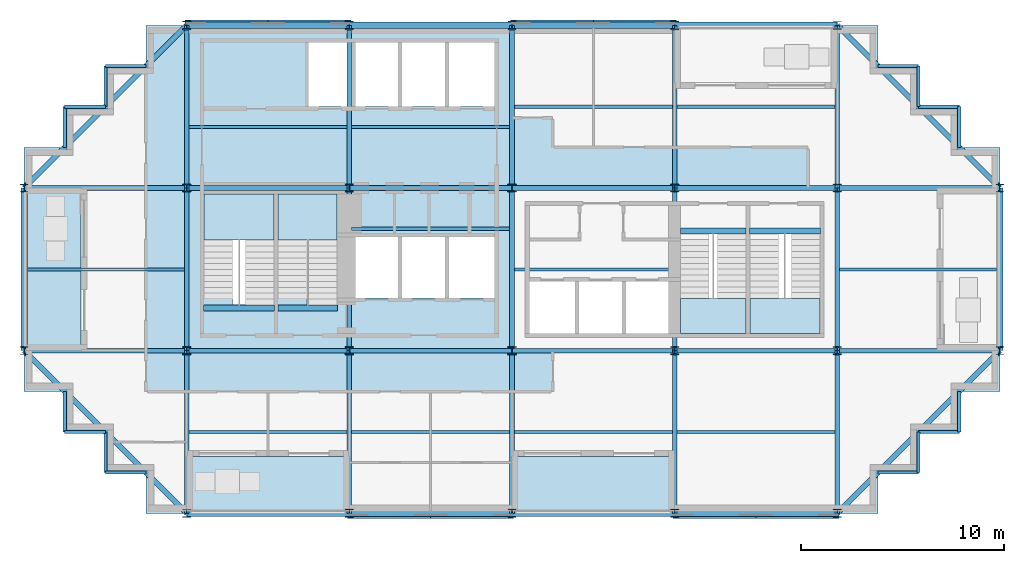
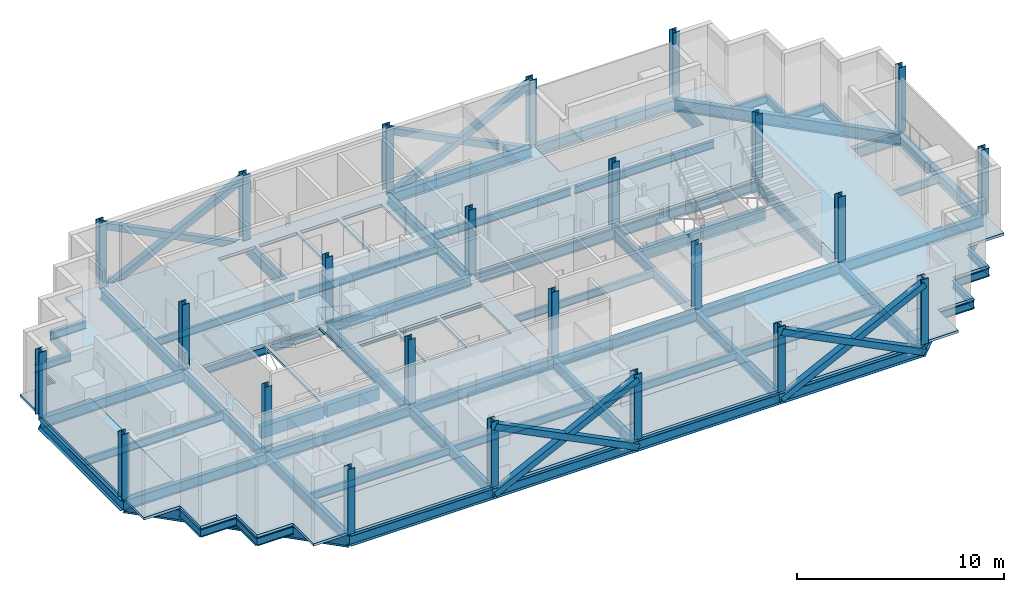
# One storey, part 1 of 8: 73 beams, 24 columns, 9 slabs, 8 members, 4 elements without a shape of their own.
"""IFC4 building model written with IfcOpenShell, lengths in metres."""

from ifc_helpers import new_model, si_unit, direction, frame, origin, origin_2d, place, context, subcontext, project, spatial, polyline, rectangle, hollow_rectangle, i_section, outline, extrude, material, layer, layer_set, material_profile, profile_set, type_object, element, aggregate, save


model = new_model("IFC4")

# Units and contexts
model_context = context("Model", 3, precision=1e-05, world=origin(), true_north=direction((0.0, 1.0)))
body_context = subcontext(model_context, "Body", "Model", "MODEL_VIEW")
ifc_project = project(units=[si_unit("LENGTHUNIT", "METRE"), si_unit("AREAUNIT", "SQUARE_METRE"), si_unit("VOLUMEUNIT", "CUBIC_METRE"), si_unit("PLANEANGLEUNIT", "RADIAN"), si_unit("MASSUNIT", "GRAM", prefix="KILO")], contexts=[model_context])

# Site, building, storey
site_placement = place(None, origin())
site = spatial("IfcSite", under=ifc_project, at=site_placement, CompositionType="ELEMENT")
building_placement = place(site_placement, origin())
building = spatial("IfcBuilding", under=site, at=building_placement, Name="Immortelle Media Tower", CompositionType="ELEMENT")
storey_placement = place(building_placement, frame((0.0, 0.0, 197.0)))
storey = spatial("IfcBuildingStorey", under=building, at=storey_placement, Name="L41", CompositionType="ELEMENT", Elevation=197.0)

# Columns
ifc_material_1 = material(Name="Steel ASTM A992 Gr 50", Category="steel")
ifc_material_profile_1 = material_profile(ifc_material_1, i_section(OverallWidth=0.39404296875, OverallDepth=0.3759765625, WebThickness=0.01708984375, FlangeThickness=0.028076171875, at=origin_2d()), Name="W14x145")
ifc_profile_set_1 = profile_set([ifc_material_profile_1], Name="Steel ASTM A992 Gr 50")
column_type_1 = type_object("IfcColumnType", Name="W14x145 column", PredefinedType="COLUMN", material=ifc_profile_set_1)
for number, where, z_axis, x_axis, name in (
    (1, (8.0, 8.0, 0.0), (0.0, 0.0, 1.0), (1.0, 0.0, 0.0), "Column 2/B"),
    (2, (8.0, 16.0, 0.0), (0.0, 0.0, 1.0), (1.0, 0.0, 0.0), "Column 2/C"),
    (3, (16.0, 8.0, 0.0), (0.0, 0.0, 1.0), (1.0, 0.0, 0.0), "Column 3/B"),
    (4, (16.0, 16.0, 0.0), (0.0, 0.0, 1.0), (1.0, 0.0, 0.0), "Column 3/C"),
    (5, (32.0, 8.0, 0.0), (0.0, 0.0, 1.0), (1.0, 0.0, 0.0), "Column 5/B"),
    (6, (32.0, 16.0, 0.0), (0.0, 0.0, 1.0), (1.0, 0.0, 0.0), "Column 5/C"),
    (7, (40.0, 8.0, 0.0), (0.0, 0.0, 1.0), (1.0, 0.0, 0.0), "Column 6/B"),
    (8, (40.0, 16.0, 0.0), (0.0, 0.0, 1.0), (1.0, 0.0, 0.0), "Column 6/C"),
):
    element("IfcColumn", number, at=place(storey_placement, frame(where, z_axis=z_axis, x_axis=x_axis)), inside=storey, type_object=column_type_1, Name=name, PredefinedType="COLUMN", context=body_context, shape_type="SweptSolid", body=[
        extrude(i_section(OverallWidth=0.39404296875, OverallDepth=0.3759765625, WebThickness=0.01708984375, FlangeThickness=0.028076171875, at=origin_2d()), origin(), (0.0, 0.0, 1.0), 3.85009765625),
    ])
ifc_material_profile_2 = material_profile(ifc_material_1, i_section(OverallWidth=0.39892578125, OverallDepth=0.385986328125, WebThickness=0.02099609375, FlangeThickness=0.032958984375, at=origin_2d()), Name="W14x176")
ifc_profile_set_2 = profile_set([ifc_material_profile_2], Name="Steel ASTM A992 Gr 50")
column_type_2 = type_object("IfcColumnType", Name="W14x176 column", PredefinedType="COLUMN", material=ifc_profile_set_2)
for number, where, z_axis, x_axis, name in (
    (9, (24.0, 8.0, 0.0), (0.0, 0.0, 1.0), (1.0, 0.0, 0.0), "Column 4/B"),
    (10, (24.0, 16.0, 0.0), (0.0, 0.0, 1.0), (1.0, 0.0, 0.0), "Column 4/C"),
):
    element("IfcColumn", number, at=place(storey_placement, frame(where, z_axis=z_axis, x_axis=x_axis)), inside=storey, type_object=column_type_2, Name=name, PredefinedType="COLUMN", context=body_context, shape_type="SweptSolid", body=[
        extrude(i_section(OverallWidth=0.39892578125, OverallDepth=0.385986328125, WebThickness=0.02099609375, FlangeThickness=0.032958984375, at=origin_2d()), origin(), (0.0, 0.0, 1.0), 3.85009765625),
    ])
ifc_material_profile_3 = material_profile(ifc_material_1, i_section(OverallWidth=0.40087890625, OverallDepth=0.39892578125, WebThickness=0.02490234375, FlangeThickness=0.0400390625, at=origin_2d()), Name="W14x211")
ifc_profile_set_3 = profile_set([ifc_material_profile_3], Name="Steel ASTM A992 Gr 50")
column_type_3 = type_object("IfcColumnType", Name="W14x211 column", PredefinedType="COLUMN", material=ifc_profile_set_3)
for number, where, z_axis, x_axis, name in (
    (11, (0.0, 8.0, 0.0), (0.0, 0.0, 1.0), (1.0, 0.0, 0.0), "Column 1/B"),
    (12, (0.0, 16.0, 0.0), (0.0, 0.0, 1.0), (1.0, 0.0, 0.0), "Column 1/C"),
    (13, (8.0, 0.0, 0.0), (0.0, 0.0, 1.0), (1.0, 0.0, 0.0), "Column 2/A"),
    (14, (40.0, 24.0, 0.0), (0.0, 0.0, 1.0), (1.0, 0.0, 0.0), "Column 6/D"),
    (15, (48.0, 8.0, 0.0), (0.0, 0.0, 1.0), (1.0, 0.0, 0.0), "Column 7/B"),
    (16, (48.0, 16.0, 0.0), (0.0, 0.0, 1.0), (1.0, 0.0, 0.0), "Column 7/C"),
):
    element("IfcColumn", number, at=place(storey_placement, frame(where, z_axis=z_axis, x_axis=x_axis)), inside=storey, type_object=column_type_3, Name=name, PredefinedType="COLUMN", context=body_context, shape_type="SweptSolid", body=[
        extrude(i_section(OverallWidth=0.40087890625, OverallDepth=0.39892578125, WebThickness=0.02490234375, FlangeThickness=0.0400390625, at=origin_2d()), origin(), (0.0, 0.0, 1.0), 3.85009765625),
    ])
ifc_material_profile_4 = material_profile(ifc_material_1, i_section(OverallWidth=0.410888671875, OverallDepth=0.43408203125, WebThickness=0.035888671875, FlangeThickness=0.056884765625, at=origin_2d()), Name="W14x311")
ifc_profile_set_4 = profile_set([ifc_material_profile_4], Name="Steel ASTM A992 Gr 50")
column_type_4 = type_object("IfcColumnType", Name="W14x311 column", PredefinedType="COLUMN", material=ifc_profile_set_4)
for number, where, z_axis, x_axis, name in (
    (17, (8.0, 24.0, 0.0), (0.0, 0.0, 1.0), (1.0, 0.0, 0.0), "Column 2/D"),
    (18, (16.0, 0.0, 0.0), (0.0, 0.0, 1.0), (1.0, 0.0, 0.0), "Column 3/A"),
    (19, (16.0, 24.0, 0.0), (0.0, 0.0, 1.0), (1.0, 0.0, 0.0), "Column 3/D"),
    (20, (24.0, 0.0, 0.0), (0.0, 0.0, 1.0), (1.0, 0.0, 0.0), "Column 4/A"),
    (21, (24.0, 24.0, 0.0), (0.0, 0.0, 1.0), (1.0, 0.0, 0.0), "Column 4/D"),
    (22, (32.0, 0.0, 0.0), (0.0, 0.0, 1.0), (1.0, 0.0, 0.0), "Column 5/A"),
    (23, (32.0, 24.0, 0.0), (0.0, 0.0, 1.0), (1.0, 0.0, 0.0), "Column 5/D"),
    (24, (40.0, 0.0, 0.0), (0.0, 0.0, 1.0), (1.0, 0.0, 0.0), "Column 6/A"),
):
    element("IfcColumn", number, at=place(storey_placement, frame(where, z_axis=z_axis, x_axis=x_axis)), inside=storey, type_object=column_type_4, Name=name, PredefinedType="COLUMN", context=body_context, shape_type="SweptSolid", body=[
        extrude(i_section(OverallWidth=0.410888671875, OverallDepth=0.43408203125, WebThickness=0.035888671875, FlangeThickness=0.056884765625, at=origin_2d()), origin(), (0.0, 0.0, 1.0), 3.85009765625),
    ])

# Members
ifc_material_2 = material(Name="Steel ASTM A500 Gr C", Category="steel")
ifc_material_profile_5 = material_profile(ifc_material_2, hollow_rectangle(XDim=0.35595703125, YDim=0.35595703125, WallThickness=0.011962890625, at=origin_2d()), Name="HSS14x14x1/2 brace")
ifc_profile_set_5 = profile_set([ifc_material_profile_5], Name="Steel ASTM A500 Gr C")
member_type = type_object("IfcMemberType", Name="HSS14x14x1/2 brace", PredefinedType="BRACE", material=ifc_profile_set_5)
for number, where, z_axis, x_axis, name in (
    (25, (16.0, -0.087890625, -0.4560546875), (0.894427191, 0.0, 0.4472135955), (0.0, 1.0, 0.0), "Brace A/3-4 A"),
    (26, (16.0, -0.087890625, 3.5439453125), (0.894427191, 0.0, -0.4472135955), (0.0, 1.0, 0.0), "Brace A/3-4 B"),
    (27, (32.0, -0.087890625, -0.4560546875), (0.894427191, 0.0, 0.4472135955), (0.0, 1.0, 0.0), "Brace A/5-6 A"),
    (28, (32.0, -0.087890625, 3.5439453125), (0.894427191, 0.0, -0.4472135955), (0.0, 1.0, 0.0), "Brace A/5-6 B"),
    (29, (32.0, 24.087890625, -0.4560546875), (-0.894427191, 0.0, 0.4472135955), (0.0, -1.0, 0.0), "Brace D/4-5 A"),
    (30, (32.0, 24.087890625, 3.5439453125), (-0.894427191, 0.0, -0.4472135955), (0.0, -1.0, 0.0), "Brace D/4-5 B"),
    (31, (16.0, 24.087890625, -0.4560546875), (-0.894427191, 0.0, 0.4472135955), (0.0, -1.0, 0.0), "Brace D/2-3 A"),
    (32, (16.0, 24.087890625, 3.5439453125), (-0.894427191, 0.0, -0.4472135955), (0.0, -1.0, 0.0), "Brace D/2-3 B"),
):
    element("IfcMember", number, at=place(storey_placement, frame(where, z_axis=z_axis, x_axis=x_axis)), inside=storey, type_object=member_type, Name=name, PredefinedType="BRACE", context=body_context, shape_type="SweptSolid", body=[
        extrude(hollow_rectangle(XDim=0.35595703125, YDim=0.35595703125, WallThickness=0.011962890625, at=origin_2d()), origin(), (0.0, 0.0, 1.0), 8.9443359375),
    ])

# Beams
ifc_material_3 = material(Name="Concrete C50/60", Category="concrete")
ifc_material_profile_6 = material_profile(ifc_material_3, rectangle(XDim=0.300048828125, YDim=0.699951171875, at=origin_2d()), Name="RC 300x700")
ifc_profile_set_6 = profile_set([ifc_material_profile_6], Name="Concrete C50/60")
beam_type_1 = type_object("IfcBeamType", Name="Stair trimmer beam 300 x 700", PredefinedType="BEAM", material=ifc_profile_set_6)
beam_1_placement = place(storey_placement, frame((8.830078125, 10.10498046875, -0.5), z_axis=(1.0, 0.0, 0.0), x_axis=(0.0, 1.0, 0.0)))
element("IfcBeam", 33, at=beam_1_placement, inside=storey, type_object=beam_type_1, Name="Stair trimmer beam SW1", PredefinedType="BEAM", context=body_context, shape_type="SweptSolid", body=[
    extrude(rectangle(XDim=0.300048828125, YDim=0.699951171875, at=origin_2d()), origin(), (0.0, 0.0, 1.0), 3.489990234375),
])
beam_2_placement = place(storey_placement, frame((12.47998046875, 10.10498046875, -0.5), z_axis=(1.0, 0.0, 0.0), x_axis=(0.0, 1.0, 0.0)))
element("IfcBeam", 34, at=beam_2_placement, inside=storey, type_object=beam_type_1, Name="Stair trimmer beam SW2", PredefinedType="BEAM", context=body_context, shape_type="SweptSolid", body=[
    extrude(rectangle(XDim=0.300048828125, YDim=0.699951171875, at=origin_2d()), origin(), (0.0, 0.0, 1.0), 2.93994140625),
])
beam_3_placement = place(storey_placement, frame((32.280029296875, 13.89501953125, -0.5), z_axis=(1.0, 0.0, 0.0), x_axis=(0.0, 1.0, 0.0)))
element("IfcBeam", 35, at=beam_3_placement, inside=storey, type_object=beam_type_1, Name="Stair trimmer beam SE1", PredefinedType="BEAM", context=body_context, shape_type="SweptSolid", body=[
    extrude(rectangle(XDim=0.300048828125, YDim=0.699951171875, at=origin_2d()), origin(), (0.0, 0.0, 1.0), 3.239990234375),
])
beam_4_placement = place(storey_placement, frame((35.679931640625, 13.89501953125, -0.5), z_axis=(1.0, 0.0, 0.0), x_axis=(0.0, 1.0, 0.0)))
element("IfcBeam", 36, at=beam_4_placement, inside=storey, type_object=beam_type_1, Name="Stair trimmer beam SE2", PredefinedType="BEAM", context=body_context, shape_type="SweptSolid", body=[
    extrude(rectangle(XDim=0.300048828125, YDim=0.699951171875, at=origin_2d()), origin(), (0.0, 0.0, 1.0), 3.489990234375),
])
ifc_material_profile_7 = material_profile(ifc_material_1, i_section(OverallWidth=0.153076171875, OverallDepth=0.455078125, WebThickness=0.008056640625, FlangeThickness=0.012939453125, at=origin_2d()), Name="W18x40")
ifc_profile_set_7 = profile_set([ifc_material_profile_7], Name="Steel ASTM A992 Gr 50")
beam_type_2 = type_object("IfcBeamType", Name="W18x40 secondary beam", PredefinedType="JOIST", material=ifc_profile_set_7)
for number, where, z_axis, x_axis, name in (
    (37, (8.114013671875, 4.0, -0.37744140625), (1.0, 0.0, 0.0), (0.0, 1.0, 0.0), "Beam A-B/2-3"),
    (38, (16.114013671875, 4.0, -0.37744140625), (1.0, 0.0, 0.0), (0.0, 1.0, 0.0), "Beam A-B/3-4"),
    (39, (24.114013671875, 4.0, -0.37744140625), (1.0, 0.0, 0.0), (0.0, 1.0, 0.0), "Beam A-B/4-5"),
    (40, (32.114013671875, 4.0, -0.37744140625), (1.0, 0.0, 0.0), (0.0, 1.0, 0.0), "Beam A-B/5-6"),
):
    element("IfcBeam", number, at=place(storey_placement, frame(where, z_axis=z_axis, x_axis=x_axis)), inside=storey, type_object=beam_type_2, Name=name, PredefinedType="JOIST", context=body_context, shape_type="SweptSolid", body=[
        extrude(i_section(OverallWidth=0.153076171875, OverallDepth=0.455078125, WebThickness=0.008056640625, FlangeThickness=0.012939453125, at=origin_2d()), origin(), (0.0, 0.0, 1.0), 7.77197265625),
    ])
beam_5_placement = place(storey_placement, frame((0.162109375, 12.0, -0.37744140625), z_axis=(1.0, 0.0, 0.0), x_axis=(0.0, 1.0, 0.0)))
element("IfcBeam", 41, at=beam_5_placement, inside=storey, type_object=beam_type_2, Name="Beam B-C/1-2", PredefinedType="JOIST", context=body_context, shape_type="SweptSolid", body=[
    extrude(i_section(OverallWidth=0.153076171875, OverallDepth=0.455078125, WebThickness=0.008056640625, FlangeThickness=0.012939453125, at=origin_2d()), origin(), (0.0, 0.0, 1.0), 7.723876953125),
])
for number, where, z_axis, x_axis, name in (
    (42, (16.114013671875, 14.0, -0.37744140625), (1.0, 0.0, 0.0), (0.0, 1.0, 0.0), "Beam B-C/3-4"),
    (43, (24.114013671875, 12.0, -0.37744140625), (1.0, 0.0, 0.0), (0.0, 1.0, 0.0), "Beam B-C/4-5"),
):
    element("IfcBeam", number, at=place(storey_placement, frame(where, z_axis=z_axis, x_axis=x_axis)), inside=storey, type_object=beam_type_2, Name=name, PredefinedType="JOIST", context=body_context, shape_type="SweptSolid", body=[
        extrude(i_section(OverallWidth=0.153076171875, OverallDepth=0.455078125, WebThickness=0.008056640625, FlangeThickness=0.012939453125, at=origin_2d()), origin(), (0.0, 0.0, 1.0), 7.77197265625),
    ])
beam_6_placement = place(storey_placement, frame((40.114013671875, 12.0, -0.37744140625), z_axis=(1.0, 0.0, 0.0), x_axis=(0.0, 1.0, 0.0)))
element("IfcBeam", 44, at=beam_6_placement, inside=storey, type_object=beam_type_2, Name="Beam B-C/6-7", PredefinedType="JOIST", context=body_context, shape_type="SweptSolid", body=[
    extrude(i_section(OverallWidth=0.153076171875, OverallDepth=0.455078125, WebThickness=0.008056640625, FlangeThickness=0.012939453125, at=origin_2d()), origin(), (0.0, 0.0, 1.0), 7.723876953125),
])
for number, where, z_axis, x_axis, name in (
    (45, (8.114013671875, 19.0, -0.37744140625), (1.0, 0.0, 0.0), (0.0, 1.0, 0.0), "Beam C-D/2-3"),
    (46, (16.114013671875, 19.0, -0.37744140625), (1.0, 0.0, 0.0), (0.0, 1.0, 0.0), "Beam C-D/3-4"),
    (47, (24.114013671875, 20.0, -0.37744140625), (1.0, 0.0, 0.0), (0.0, 1.0, 0.0), "Beam C-D/4-5"),
    (48, (32.114013671875, 20.0, -0.37744140625), (1.0, 0.0, 0.0), (0.0, 1.0, 0.0), "Beam C-D/5-6"),
):
    element("IfcBeam", number, at=place(storey_placement, frame(where, z_axis=z_axis, x_axis=x_axis)), inside=storey, type_object=beam_type_2, Name=name, PredefinedType="JOIST", context=body_context, shape_type="SweptSolid", body=[
        extrude(i_section(OverallWidth=0.153076171875, OverallDepth=0.455078125, WebThickness=0.008056640625, FlangeThickness=0.012939453125, at=origin_2d()), origin(), (0.0, 0.0, 1.0), 7.77197265625),
    ])
ifc_material_profile_8 = material_profile(ifc_material_1, i_section(OverallWidth=0.153076171875, OverallDepth=0.455078125, WebThickness=0.008056640625, FlangeThickness=0.012939453125, at=origin_2d()), Name="W18x40")
ifc_profile_set_8 = profile_set([ifc_material_profile_8], Name="Steel ASTM A992 Gr 50")
beam_type_3 = type_object("IfcBeamType", Name="W18x40 serration edge beam", PredefinedType="SPANDREL", material=ifc_profile_set_8)
for number, where, z_axis, x_axis, name in (
    (49, (6.0, 2.0, -0.37744140625), (-1.0, 0.0, 0.0), (0.0, -1.0, 0.0), "Corner edge beam 1 at 1/A"),
    (50, (4.0, 2.0, -0.37744140625), (0.0, 1.0, 0.0), (-1.0, 0.0, 0.0), "Corner edge beam 2 at 1/A"),
    (51, (4.0, 4.0, -0.37744140625), (-1.0, 0.0, 0.0), (0.0, -1.0, 0.0), "Corner edge beam 3 at 1/A"),
    (52, (2.0, 4.0, -0.37744140625), (0.0, 1.0, 0.0), (-1.0, 0.0, 0.0), "Corner edge beam 4 at 1/A"),
    (53, (2.0, 18.0, -0.37744140625), (0.0, 1.0, 0.0), (-1.0, 0.0, 0.0), "Corner edge beam 1 at 1/D"),
    (54, (2.0, 20.0, -0.37744140625), (1.0, 0.0, 0.0), (0.0, 1.0, 0.0), "Corner edge beam 2 at 1/D"),
    (55, (4.0, 20.0, -0.37744140625), (0.0, 1.0, 0.0), (-1.0, 0.0, 0.0), "Corner edge beam 3 at 1/D"),
    (56, (4.0, 22.0, -0.37744140625), (1.0, 0.0, 0.0), (0.0, 1.0, 0.0), "Corner edge beam 4 at 1/D"),
    (57, (46.0, 6.0, -0.37744140625), (0.0, -1.0, 0.0), (1.0, 0.0, 0.0), "Corner edge beam 1 at 7/A"),
    (58, (46.0, 4.0, -0.37744140625), (-1.0, 0.0, 0.0), (0.0, -1.0, 0.0), "Corner edge beam 2 at 7/A"),
    (59, (44.0, 4.0, -0.37744140625), (0.0, -1.0, 0.0), (1.0, 0.0, 0.0), "Corner edge beam 3 at 7/A"),
    (60, (44.0, 2.0, -0.37744140625), (-1.0, 0.0, 0.0), (0.0, -1.0, 0.0), "Corner edge beam 4 at 7/A"),
    (61, (42.0, 22.0, -0.37744140625), (1.0, 0.0, 0.0), (0.0, 1.0, 0.0), "Corner edge beam 1 at 7/D"),
    (62, (44.0, 22.0, -0.37744140625), (0.0, -1.0, 0.0), (1.0, 0.0, 0.0), "Corner edge beam 2 at 7/D"),
    (63, (44.0, 20.0, -0.37744140625), (1.0, 0.0, 0.0), (0.0, 1.0, 0.0), "Corner edge beam 3 at 7/D"),
    (64, (46.0, 20.0, -0.37744140625), (0.0, -1.0, 0.0), (1.0, 0.0, 0.0), "Corner edge beam 4 at 7/D"),
):
    element("IfcBeam", number, at=place(storey_placement, frame(where, z_axis=z_axis, x_axis=x_axis)), inside=storey, type_object=beam_type_3, Name=name, PredefinedType="SPANDREL", context=body_context, shape_type="SweptSolid", body=[
        extrude(i_section(OverallWidth=0.153076171875, OverallDepth=0.455078125, WebThickness=0.008056640625, FlangeThickness=0.012939453125, at=origin_2d()), origin(), (0.0, 0.0, 1.0), 2.0),
    ])
ifc_material_profile_9 = material_profile(ifc_material_1, i_section(OverallWidth=0.323974609375, OverallDepth=0.612060546875, WebThickness=0.012939453125, FlangeThickness=0.01904296875, at=origin_2d()), Name="W24x104")
ifc_profile_set_9 = profile_set([ifc_material_profile_9], Name="Steel ASTM A992 Gr 50")
beam_type_4 = type_object("IfcBeamType", Name="W24x104 perimeter girder", PredefinedType="SPANDREL", material=ifc_profile_set_9)
for number, where, z_axis, x_axis, name in (
    (65, (0.0, 8.0, -0.4560546875), (0.0, 1.0, 0.0), (-1.0, 0.0, 0.0), "Girder 1/B-C"),
    (66, (8.0, 0.0, -0.4560546875), (1.0, 0.0, 0.0), (0.0, 1.0, 0.0), "Girder A/2-3"),
    (67, (8.0, 24.0, -0.4560546875), (1.0, 0.0, 0.0), (0.0, 1.0, 0.0), "Girder D/2-3"),
    (68, (16.0, 0.0, -0.4560546875), (1.0, 0.0, 0.0), (0.0, 1.0, 0.0), "Girder A/3-4"),
    (69, (16.0, 24.0, -0.4560546875), (1.0, 0.0, 0.0), (0.0, 1.0, 0.0), "Girder D/3-4"),
    (70, (24.0, 0.0, -0.4560546875), (1.0, 0.0, 0.0), (0.0, 1.0, 0.0), "Girder A/4-5"),
    (71, (24.0, 24.0, -0.4560546875), (1.0, 0.0, 0.0), (0.0, 1.0, 0.0), "Girder D/4-5"),
    (72, (32.0, 0.0, -0.4560546875), (1.0, 0.0, 0.0), (0.0, 1.0, 0.0), "Girder A/5-6"),
    (73, (32.0, 24.0, -0.4560546875), (1.0, 0.0, 0.0), (0.0, 1.0, 0.0), "Girder D/5-6"),
    (74, (48.0, 8.0, -0.4560546875), (0.0, 1.0, 0.0), (-1.0, 0.0, 0.0), "Girder 7/B-C"),
):
    element("IfcBeam", number, at=place(storey_placement, frame(where, z_axis=z_axis, x_axis=x_axis)), inside=storey, type_object=beam_type_4, Name=name, PredefinedType="SPANDREL", context=body_context, shape_type="SweptSolid", body=[
        extrude(i_section(OverallWidth=0.323974609375, OverallDepth=0.612060546875, WebThickness=0.012939453125, FlangeThickness=0.01904296875, at=origin_2d()), origin(), (0.0, 0.0, 1.0), 8.0),
    ])
ifc_material_profile_10 = material_profile(ifc_material_1, i_section(OverallWidth=0.22802734375, OverallDepth=0.60205078125, WebThickness=0.010986328125, FlangeThickness=0.014892578125, at=origin_2d()), Name="W24x68")
ifc_profile_set_10 = profile_set([ifc_material_profile_10], Name="Steel ASTM A992 Gr 50")
beam_type_5 = type_object("IfcBeamType", Name="W24x68 girder", PredefinedType="BEAM", material=ifc_profile_set_10)
for number, where, z_axis, x_axis, name in (
    (75, (0.0, 8.0, -0.450927734375), (1.0, 0.0, 0.0), (0.0, 1.0, 0.0), "Girder B/1-2"),
    (76, (0.0, 16.0, -0.450927734375), (1.0, 0.0, 0.0), (0.0, 1.0, 0.0), "Girder C/1-2"),
    (77, (8.0, 0.0, -0.450927734375), (0.0, 1.0, 0.0), (-1.0, 0.0, 0.0), "Girder 2/A-B"),
    (78, (8.0, 8.0, -0.450927734375), (1.0, 0.0, 0.0), (0.0, 1.0, 0.0), "Girder B/2-3"),
    (79, (8.0, 8.0, -0.450927734375), (0.0, 1.0, 0.0), (-1.0, 0.0, 0.0), "Girder 2/B-C"),
    (80, (8.0, 16.0, -0.450927734375), (1.0, 0.0, 0.0), (0.0, 1.0, 0.0), "Girder C/2-3"),
    (81, (8.0, 16.0, -0.450927734375), (0.0, 1.0, 0.0), (-1.0, 0.0, 0.0), "Girder 2/C-D"),
    (82, (16.0, 0.0, -0.450927734375), (0.0, 1.0, 0.0), (-1.0, 0.0, 0.0), "Girder 3/A-B"),
    (83, (16.0, 8.0, -0.450927734375), (1.0, 0.0, 0.0), (0.0, 1.0, 0.0), "Girder B/3-4"),
    (84, (16.0, 8.0, -0.450927734375), (0.0, 1.0, 0.0), (-1.0, 0.0, 0.0), "Girder 3/B-C"),
    (85, (16.0, 16.0, -0.450927734375), (1.0, 0.0, 0.0), (0.0, 1.0, 0.0), "Girder C/3-4"),
    (86, (16.0, 16.0, -0.450927734375), (0.0, 1.0, 0.0), (-1.0, 0.0, 0.0), "Girder 3/C-D"),
    (87, (24.0, 0.0, -0.450927734375), (0.0, 1.0, 0.0), (-1.0, 0.0, 0.0), "Girder 4/A-B"),
    (88, (24.0, 8.0, -0.450927734375), (1.0, 0.0, 0.0), (0.0, 1.0, 0.0), "Girder B/4-5"),
    (89, (24.0, 8.0, -0.450927734375), (0.0, 1.0, 0.0), (-1.0, 0.0, 0.0), "Girder 4/B-C"),
    (90, (24.0, 16.0, -0.450927734375), (1.0, 0.0, 0.0), (0.0, 1.0, 0.0), "Girder C/4-5"),
    (91, (24.0, 16.0, -0.450927734375), (0.0, 1.0, 0.0), (-1.0, 0.0, 0.0), "Girder 4/C-D"),
    (92, (32.0, 0.0, -0.450927734375), (0.0, 1.0, 0.0), (-1.0, 0.0, 0.0), "Girder 5/A-B"),
    (93, (32.0, 8.0, -0.450927734375), (1.0, 0.0, 0.0), (0.0, 1.0, 0.0), "Girder B/5-6"),
    (94, (32.0, 8.0, -0.450927734375), (0.0, 1.0, 0.0), (-1.0, 0.0, 0.0), "Girder 5/B-C"),
    (95, (32.0, 16.0, -0.450927734375), (1.0, 0.0, 0.0), (0.0, 1.0, 0.0), "Girder C/5-6"),
    (96, (32.0, 16.0, -0.450927734375), (0.0, 1.0, 0.0), (-1.0, 0.0, 0.0), "Girder 5/C-D"),
    (97, (40.0, 0.0, -0.450927734375), (0.0, 1.0, 0.0), (-1.0, 0.0, 0.0), "Girder 6/A-B"),
    (98, (40.0, 8.0, -0.450927734375), (1.0, 0.0, 0.0), (0.0, 1.0, 0.0), "Girder B/6-7"),
    (99, (40.0, 8.0, -0.450927734375), (0.0, 1.0, 0.0), (-1.0, 0.0, 0.0), "Girder 6/B-C"),
    (100, (40.0, 16.0, -0.450927734375), (1.0, 0.0, 0.0), (0.0, 1.0, 0.0), "Girder C/6-7"),
    (101, (40.0, 16.0, -0.450927734375), (0.0, 1.0, 0.0), (-1.0, 0.0, 0.0), "Girder 6/C-D"),
):
    element("IfcBeam", number, at=place(storey_placement, frame(where, z_axis=z_axis, x_axis=x_axis)), inside=storey, type_object=beam_type_5, Name=name, PredefinedType="BEAM", context=body_context, shape_type="SweptSolid", body=[
        extrude(i_section(OverallWidth=0.22802734375, OverallDepth=0.60205078125, WebThickness=0.010986328125, FlangeThickness=0.014892578125, at=origin_2d()), origin(), (0.0, 0.0, 1.0), 8.0),
    ])
ifc_material_profile_11 = material_profile(ifc_material_1, i_section(OverallWidth=0.257080078125, OverallDepth=0.693115234375, WebThickness=0.013916015625, FlangeThickness=0.02392578125, at=origin_2d()), Name="W27x114")
ifc_profile_set_11 = profile_set([ifc_material_profile_11], Name="Steel ASTM A992 Gr 50")
beam_type_6 = type_object("IfcBeamType", Name="W27x114 corner girder", PredefinedType="SPANDREL", material=ifc_profile_set_11)
for number, where, z_axis, x_axis, name in (
    (102, (8.0, 0.0, -0.49658203125), (-0.707106781187, 0.707106781187, 0.0), (-0.707106781187, -0.707106781187, 0.0), "Corner girder at 1/A"),
    (103, (0.0, 16.0, -0.49658203125), (0.707106781187, 0.707106781187, 0.0), (-0.707106781187, 0.707106781187, 0.0), "Corner girder at 1/D"),
    (104, (48.0, 8.0, -0.49658203125), (-0.707106781187, -0.707106781187, 0.0), (0.707106781187, -0.707106781187, 0.0), "Corner girder at 7/A"),
    (105, (40.0, 24.0, -0.49658203125), (0.707106781187, -0.707106781187, 0.0), (0.707106781187, 0.707106781187, 0.0), "Corner girder at 7/D"),
):
    element("IfcBeam", number, at=place(storey_placement, frame(where, z_axis=z_axis, x_axis=x_axis)), inside=storey, type_object=beam_type_6, Name=name, PredefinedType="SPANDREL", context=body_context, shape_type="SweptSolid", body=[
        extrude(i_section(OverallWidth=0.257080078125, OverallDepth=0.693115234375, WebThickness=0.013916015625, FlangeThickness=0.02392578125, at=origin_2d()), origin(), (0.0, 0.0, 1.0), 11.313720703125),
    ])

# Slabs
ifc_material_4 = material(Name="Concrete C50/60 composite deck", Category="concrete")
ifc_layer_1 = layer(ifc_material_4, 0.14990234375)
ifc_layer_set_1 = layer_set([ifc_layer_1], Name="Concrete C50/60 composite deck")
slab_type_1 = type_object("IfcSlabType", Name="Balcony slab 150", PredefinedType="FLOOR", material=ifc_layer_set_1)
slab_1_placement = place(storey_placement, frame((0.0, 0.0, -0.14990234375)))
element("IfcSlab", 106, at=slab_1_placement, inside=storey, type_object=slab_type_1, Name="Balcony slab L41 S0", PredefinedType="FLOOR", context=body_context, shape_type="SweptSolid", body=[
    extrude(outline(polyline([(16.0, 0.0), (16.0, 2.800048828125), (8.0, 2.800048828125), (8.0, 0.0), (16.0, 0.0)])), origin(), (0.0, 0.0, 1.0), 0.14990234375),
])
slab_2_placement = place(storey_placement, frame((0.0, 0.0, -0.14990234375)))
element("IfcSlab", 107, at=slab_2_placement, inside=storey, type_object=slab_type_1, Name="Balcony slab L41 S2", PredefinedType="FLOOR", context=body_context, shape_type="SweptSolid", body=[
    extrude(outline(polyline([(32.0, 0.0), (32.0, 2.800048828125), (24.0, 2.800048828125), (24.0, 0.0), (32.0, 0.0)])), origin(), (0.0, 0.0, 1.0), 0.14990234375),
])
slab_3_placement = place(storey_placement, frame((0.0, 0.0, -0.14990234375)))
element("IfcSlab", 108, at=slab_3_placement, inside=storey, type_object=slab_type_1, Name="Balcony slab L41 W0", PredefinedType="FLOOR", context=body_context, shape_type="SweptSolid", body=[
    extrude(outline(polyline([(2.800048828125, 8.0), (2.800048828125, 16.0), (0.0, 16.0), (0.0, 8.0), (2.800048828125, 8.0)])), origin(), (0.0, 0.0, 1.0), 0.14990234375),
])
ifc_layer_2 = layer(ifc_material_3, 0.14990234375)
ifc_layer_set_2 = layer_set([ifc_layer_2], Name="Concrete C50/60")
slab_type_2 = type_object("IfcSlabType", Name="Composite floor slab 150", PredefinedType="FLOOR", material=ifc_layer_set_2)
slab_4_placement = place(storey_placement, frame((0.0, 0.0, -0.14990234375)))
element("IfcSlab", 109, at=slab_4_placement, inside=storey, type_object=slab_type_2, Name="Floor slab L41", PredefinedType="FLOOR", context=body_context, shape_type="SweptSolid", body=[
    extrude(outline(polyline([(6.0, 0.0), (6.0, 2.0), (4.0, 2.0), (4.0, 4.0), (2.0, 4.0), (2.0, 6.0), (0.0, 6.0), (0.0, 8.0), (2.800048828125, 8.0), (2.800048828125, 16.0), (0.0, 16.0), (0.0, 18.0), (2.0, 18.0), (2.0, 20.0), (4.0, 20.0), (4.0, 22.0), (6.0, 22.0), (6.0, 24.0), (8.0, 24.0), (8.0, 8.0), (24.0, 8.0), (40.0, 8.0), (40.0, 16.0), (24.0, 16.0), (24.0, 21.199951171875), (24.0, 24.0), (32.0, 24.0), (32.0, 21.199951171875), (40.0, 21.199951171875), (40.0, 24.0), (42.0, 24.0), (42.0, 22.0), (44.0, 22.0), (44.0, 20.0), (46.0, 20.0), (46.0, 18.0), (48.0, 18.0), (48.0, 16.0), (45.199951171875, 16.0), (45.199951171875, 8.0), (48.0, 8.0), (48.0, 6.0), (46.0, 6.0), (46.0, 4.0), (44.0, 4.0), (44.0, 2.0), (42.0, 2.0), (42.0, 0.0), (32.0, 0.0), (32.0, 2.800048828125), (24.0, 2.800048828125), (24.0, 0.0), (16.0, 0.0), (16.0, 2.800048828125), (8.0, 2.800048828125), (8.0, 0.0), (6.0, 0.0)])), origin(), (0.0, 0.0, 1.0), 0.14990234375),
])
ifc_layer_3 = layer(ifc_material_3, 0.14990234375)
ifc_layer_set_3 = layer_set([ifc_layer_3], Name="Concrete C50/60")
slab_type_3 = type_object("IfcSlabType", Name="Core floor slab 150", PredefinedType="FLOOR", material=ifc_layer_set_3)
slab_5_placement = place(storey_placement, frame((0.0, 0.0, -0.14990234375)))
element("IfcSlab", 110, at=slab_5_placement, inside=storey, type_object=slab_type_3, Name="Core floor SW", PredefinedType="FLOOR", context=body_context, shape_type="SweptSolid", body=[
    extrude(outline(polyline([(8.0, 8.0), (24.0, 8.0), (24.0, 24.0), (8.0, 24.0), (8.0, 8.0)]), holes=[polyline([(14.0, 20.0), (16.10009765625, 20.0), (16.10009765625, 23.14990234375), (14.0, 23.14990234375), (14.0, 20.0)]), polyline([(16.300048828125, 20.0), (18.39990234375, 20.0), (18.39990234375, 23.14990234375), (16.300048828125, 23.14990234375), (16.300048828125, 20.0)]), polyline([(18.60009765625, 20.0), (20.699951171875, 20.0), (20.699951171875, 23.14990234375), (18.60009765625, 23.14990234375), (18.60009765625, 20.0)]), polyline([(20.89990234375, 20.0), (23.14990234375, 20.0), (23.14990234375, 23.14990234375), (20.89990234375, 23.14990234375), (20.89990234375, 20.0)]), polyline([(16.300048828125, 10.60009765625), (18.39990234375, 10.60009765625), (18.39990234375, 13.60009765625), (16.300048828125, 13.60009765625), (16.300048828125, 10.60009765625)]), polyline([(18.60009765625, 10.60009765625), (20.699951171875, 10.60009765625), (20.699951171875, 13.60009765625), (18.60009765625, 13.60009765625), (18.60009765625, 10.60009765625)]), polyline([(20.89990234375, 10.60009765625), (23.14990234375, 10.60009765625), (23.14990234375, 13.60009765625), (20.89990234375, 13.60009765625), (20.89990234375, 10.60009765625)]), polyline([(8.85009765625, 15.699951171875), (12.300048828125, 15.699951171875), (12.300048828125, 10.27001953125), (10.25, 10.27001953125), (10.25, 10.56005859375), (8.85009765625, 10.56005859375), (8.85009765625, 15.699951171875)]), polyline([(12.5, 15.699951171875), (15.39990234375, 15.699951171875), (15.39990234375, 10.27001953125), (13.89990234375, 10.27001953125), (13.89990234375, 10.56005859375), (12.5, 10.56005859375), (12.5, 15.699951171875)])]), origin(), (0.0, 0.0, 1.0), 0.14990234375),
])

# Stair, slab
stair_type = type_object("IfcStairType", Name="Stair with flights", PredefinedType="DOUBLE_RETURN_STAIR", material=ifc_material_1)
stair_1_placement = place(storey_placement, origin())
stair_1 = element("IfcStair", 111, at=stair_1_placement, inside=storey, type_object=stair_type, Name="Exit stair SW1", PredefinedType="DOUBLE_RETURN_STAIR")
ifc_material_5 = material(Name="Steel ASTM A572 Gr 50", Category="steel")
ifc_layer_4 = layer(ifc_material_5, 0.199951171875)
ifc_layer_set_4 = layer_set([ifc_layer_4], Name="Steel ASTM A572 Gr 50")
slab_type_4 = type_object("IfcSlabType", Name="Stair landing 200", PredefinedType="LANDING", material=ifc_layer_set_4)
slab_6_placement = place(storey_placement, frame((0.0, 0.0, 1.713134765625)))
slab_6 = element("IfcSlab", 112, at=slab_6_placement, type_object=slab_type_4, Name="ST SW1 landing 1", PredefinedType="LANDING", context=body_context, shape_type="SweptSolid", body=[
    extrude(outline(polyline([(8.85009765625, 13.43994140625), (12.300048828125, 13.43994140625), (12.300048828125, 15.699951171875), (8.85009765625, 15.699951171875), (8.85009765625, 13.43994140625)])), origin(), (0.0, 0.0, 1.0), 0.199951171875),
])
aggregate(stair_1, [slab_6])

stair_2_placement = place(storey_placement, origin())
stair_2 = element("IfcStair", 113, at=stair_2_placement, inside=storey, type_object=stair_type, Name="Exit stair SW2", PredefinedType="DOUBLE_RETURN_STAIR")
slab_7_placement = place(storey_placement, frame((0.0, 0.0, 1.713134765625)))
slab_7 = element("IfcSlab", 114, at=slab_7_placement, type_object=slab_type_4, Name="ST SW2 landing 1", PredefinedType="LANDING", context=body_context, shape_type="SweptSolid", body=[
    extrude(outline(polyline([(12.5, 13.43994140625), (15.39990234375, 13.43994140625), (15.39990234375, 15.699951171875), (12.5, 15.699951171875), (12.5, 13.43994140625)])), origin(), (0.0, 0.0, 1.0), 0.199951171875),
])
aggregate(stair_2, [slab_7])

stair_3_placement = place(storey_placement, origin())
stair_3 = element("IfcStair", 115, at=stair_3_placement, inside=storey, type_object=stair_type, Name="Exit stair SE1", PredefinedType="DOUBLE_RETURN_STAIR")
slab_8_placement = place(storey_placement, frame((0.0, 0.0, 1.713134765625)))
slab_8 = element("IfcSlab", 116, at=slab_8_placement, type_object=slab_type_4, Name="ST SE1 landing 1", PredefinedType="LANDING", context=body_context, shape_type="SweptSolid", body=[
    extrude(outline(polyline([(32.300048828125, 8.85009765625), (35.5, 8.85009765625), (35.5, 10.56005859375), (32.300048828125, 10.56005859375), (32.300048828125, 8.85009765625)])), origin(), (0.0, 0.0, 1.0), 0.199951171875),
])
aggregate(stair_3, [slab_8])

stair_4_placement = place(storey_placement, origin())
stair_4 = element("IfcStair", 117, at=stair_4_placement, inside=storey, type_object=stair_type, Name="Exit stair SE2", PredefinedType="DOUBLE_RETURN_STAIR")
slab_9_placement = place(storey_placement, frame((0.0, 0.0, 1.713134765625)))
slab_9 = element("IfcSlab", 118, at=slab_9_placement, type_object=slab_type_4, Name="ST SE2 landing 1", PredefinedType="LANDING", context=body_context, shape_type="SweptSolid", body=[
    extrude(outline(polyline([(35.699951171875, 8.85009765625), (39.14990234375, 8.85009765625), (39.14990234375, 10.56005859375), (35.699951171875, 10.56005859375), (35.699951171875, 8.85009765625)])), origin(), (0.0, 0.0, 1.0), 0.199951171875),
])
aggregate(stair_4, [slab_9])

save(model, "model.ifc")
